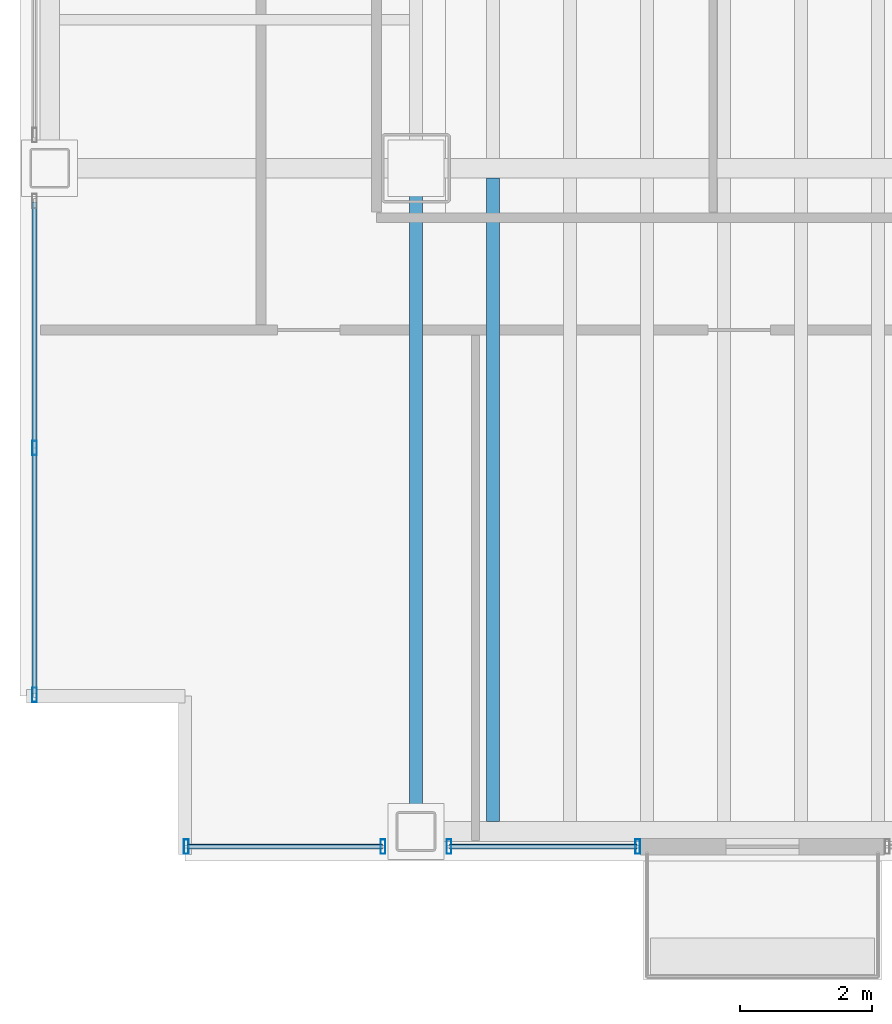
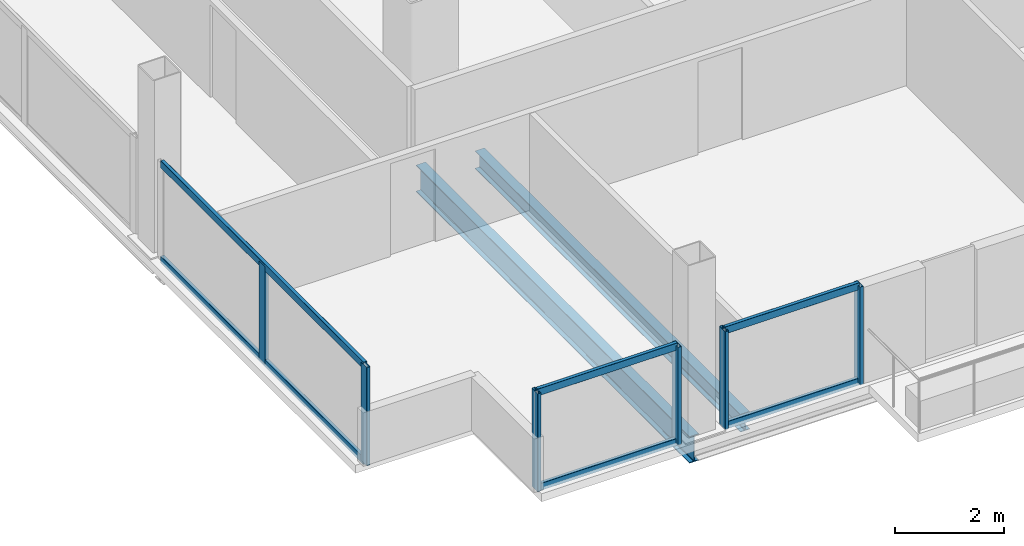
# One storey, part 2 of 21: 12 members, 2 beams, 3 elements without a shape of their own.
"""IFC4 building model written with IfcOpenShell, lengths in metres."""

from ifc_helpers import new_model, si_unit, direction, frame, origin, origin_2d, place, context, subcontext, project, spatial, hollow_rectangle, i_section, extrude, material, material_profile, profile_set, type_object, element, aggregate, save


model = new_model("IFC4")

# Units and contexts
model_context = context("Model", 3, precision=1e-05, world=origin(), true_north=direction((0.0, 1.0)))
body_context = subcontext(model_context, "Body", "Model", "MODEL_VIEW")
ifc_project = project(units=[si_unit("LENGTHUNIT", "METRE"), si_unit("AREAUNIT", "SQUARE_METRE"), si_unit("VOLUMEUNIT", "CUBIC_METRE"), si_unit("PLANEANGLEUNIT", "RADIAN"), si_unit("MASSUNIT", "GRAM", prefix="KILO")], contexts=[model_context])

# Site, building, storey
site_placement = place(None, origin())
site = spatial("IfcSite", under=ifc_project, at=site_placement, CompositionType="ELEMENT")
building_placement = place(site_placement, origin())
building = spatial("IfcBuilding", under=site, at=building_placement, Name="Noeulbin Bourse Tower", CompositionType="ELEMENT")
storey_placement = place(building_placement, frame((0.0, 0.0, 96.699951171875)))
storey = spatial("IfcBuildingStorey", under=building, at=storey_placement, Name="L24", CompositionType="ELEMENT", Elevation=96.699951171875)

# Beams
ifc_material_1 = material(Name="Steel S355", Category="steel")
ifc_material_profile_1 = material_profile(ifc_material_1, i_section(OverallWidth=0.199951171875, OverallDepth=0.60009765625, WebThickness=0.010986328125, FlangeThickness=0.01708984375, FilletRadius=0.02197265625, at=origin_2d()), Name="H-600x200x11x17", Category="LoadBearing")
ifc_profile_set_1 = profile_set([ifc_material_profile_1], Name="Steel S355")
beam_type_1 = type_object("IfcBeamType", Name="BM-GRD-600", PredefinedType="USERDEFINED", material=ifc_profile_set_1)
beam_1_placement = place(storey_placement, frame((13.5, 9.949951171875, -0.47998046875), z_axis=(0.0, 1.0, 0.0), x_axis=(-1.0, 0.0, 0.0)))
element("IfcBeam", 1, at=beam_1_placement, inside=storey, type_object=beam_type_1, Name="Tower Primary Girder NS L24-1.1", ObjectType="GIRDER", PredefinedType="USERDEFINED", context=body_context, shape_type="SweptSolid", body=[
    extrude(i_section(OverallWidth=0.199951171875, OverallDepth=0.60009765625, WebThickness=0.010986328125, FlangeThickness=0.01708984375, FilletRadius=0.02197265625, at=origin_2d()), origin(), (0.0, 0.0, 1.0), 10.050048828125),
])
ifc_material_profile_2 = material_profile(ifc_material_1, i_section(OverallWidth=0.199951171875, OverallDepth=0.39990234375, WebThickness=0.008056640625, FlangeThickness=0.012939453125, FilletRadius=0.01611328125, at=origin_2d()), Name="H-400x200x8x13", Category="LoadBearing")
ifc_profile_set_2 = profile_set([ifc_material_profile_2], Name="Steel S355")
beam_type_2 = type_object("IfcBeamType", Name="BM-SEC-400", PredefinedType="BEAM", material=ifc_profile_set_2)
beam_2_placement = place(storey_placement, frame((14.666748046875, 10.10009765625, -0.3798828125), z_axis=(0.0, 1.0, 0.0), x_axis=(-1.0, 0.0, 0.0)))
element("IfcBeam", 2, at=beam_2_placement, inside=storey, type_object=beam_type_2, Name="Tower Composite Joist L24-01", PredefinedType="BEAM", context=body_context, shape_type="SweptSolid", body=[
    extrude(i_section(OverallWidth=0.199951171875, OverallDepth=0.39990234375, WebThickness=0.008056640625, FlangeThickness=0.012939453125, FilletRadius=0.01611328125, at=origin_2d()), origin(), (0.0, 0.0, 1.0), 9.75),
])

# Curtain wall, members
ifc_material_2 = material(Name="Dark Solar-Control Double Glazing", Category="glass")
curtain_wall_type = type_object("IfcCurtainWallType", Name="CW-SYS-2", PredefinedType="NOTDEFINED", material=ifc_material_2)
curtain_wall_1_placement = place(storey_placement, origin())
curtain_wall_1 = element("IfcCurtainWall", 3, at=curtain_wall_1_placement, inside=storey, type_object=curtain_wall_type, Name="Unitised Curtain Wall CW-L24-S1-S1", PredefinedType="NOTDEFINED")
ifc_material_3 = material(Name="Anodised Aluminium 6063-T6", Category="aluminium")
ifc_material_profile_3 = material_profile(ifc_material_3, hollow_rectangle(XDim=0.074951171875, YDim=0.219970703125, WallThickness=0.0048828125, InnerFilletRadius=0.00244140625, OuterFilletRadius=0.0048828125, at=origin_2d()), Name="ALU-MULL-75x220x5", Category="LoadBearing")
ifc_profile_set_3 = profile_set([ifc_material_profile_3], Name="Anodised Aluminium 6063-T6")
member_type_1 = type_object("IfcMemberType", Name="CW-SYS-2-MUL", PredefinedType="MULLION", material=ifc_profile_set_3)
member_1_placement = place(storey_placement, frame((10.02001953125, 9.719970703125, -0.02001953125), z_axis=(0.0, 0.0, 1.0), x_axis=(1.0, 0.0, 0.0)))
member_1 = element("IfcMember", 4, at=member_1_placement, type_object=member_type_1, Name="Curtain Wall Mullion CW-L24-S1-S1-M00", PredefinedType="MULLION", context=body_context, shape_type="SweptSolid", body=[
    extrude(hollow_rectangle(XDim=0.074951171875, YDim=0.219970703125, WallThickness=0.0048828125, InnerFilletRadius=0.00244140625, OuterFilletRadius=0.0048828125, at=origin_2d()), origin(), (0.0, 0.0, 1.0), 2.199951171875),
])
member_2_placement = place(storey_placement, frame((13.0, 9.719970703125, -0.02001953125), z_axis=(0.0, 0.0, 1.0), x_axis=(1.0, 0.0, 0.0)))
member_2 = element("IfcMember", 5, at=member_2_placement, type_object=member_type_1, Name="Curtain Wall Mullion CW-L24-S1-S1-M01", PredefinedType="MULLION", context=body_context, shape_type="SweptSolid", body=[
    extrude(hollow_rectangle(XDim=0.074951171875, YDim=0.219970703125, WallThickness=0.0048828125, InnerFilletRadius=0.00244140625, OuterFilletRadius=0.0048828125, at=origin_2d()), origin(), (0.0, 0.0, 1.0), 2.199951171875),
])

curtain_wall_2_placement = place(storey_placement, origin())
curtain_wall_2 = element("IfcCurtainWall", 6, at=curtain_wall_2_placement, inside=storey, type_object=curtain_wall_type, Name="Unitised Curtain Wall CW-L24-S1-S2", PredefinedType="NOTDEFINED")
member_3_placement = place(storey_placement, frame((14.0, 9.719970703125, -0.02001953125), z_axis=(0.0, 0.0, 1.0), x_axis=(1.0, 0.0, 0.0)))
member_3 = element("IfcMember", 7, at=member_3_placement, type_object=member_type_1, Name="Curtain Wall Mullion CW-L24-S1-S2-M00", PredefinedType="MULLION", context=body_context, shape_type="SweptSolid", body=[
    extrude(hollow_rectangle(XDim=0.074951171875, YDim=0.219970703125, WallThickness=0.0048828125, InnerFilletRadius=0.00244140625, OuterFilletRadius=0.0048828125, at=origin_2d()), origin(), (0.0, 0.0, 1.0), 2.199951171875),
])
member_4_placement = place(storey_placement, frame((16.860107421875, 9.719970703125, -0.02001953125), z_axis=(0.0, 0.0, 1.0), x_axis=(1.0, 0.0, 0.0)))
member_4 = element("IfcMember", 8, at=member_4_placement, type_object=member_type_1, Name="Curtain Wall Mullion CW-L24-S1-S2-M01", PredefinedType="MULLION", context=body_context, shape_type="SweptSolid", body=[
    extrude(hollow_rectangle(XDim=0.074951171875, YDim=0.219970703125, WallThickness=0.0048828125, InnerFilletRadius=0.00244140625, OuterFilletRadius=0.0048828125, at=origin_2d()), origin(), (0.0, 0.0, 1.0), 2.199951171875),
])

curtain_wall_3_placement = place(storey_placement, origin())
curtain_wall_3 = element("IfcCurtainWall", 9, at=curtain_wall_3_placement, inside=storey, type_object=curtain_wall_type, Name="Unitised Curtain Wall CW-L24-W-S1", PredefinedType="NOTDEFINED")
member_5_placement = place(storey_placement, frame((7.719970703125, 12.02001953125, -0.02001953125), z_axis=(0.0, 0.0, 1.0), x_axis=(1.0, 0.0, 0.0)))
member_5 = element("IfcMember", 10, at=member_5_placement, type_object=member_type_1, Name="Curtain Wall Mullion CW-L24-W-S1-M00", PredefinedType="MULLION", context=body_context, shape_type="SweptSolid", body=[
    extrude(hollow_rectangle(XDim=0.074951171875, YDim=0.219970703125, WallThickness=0.0048828125, InnerFilletRadius=0.00244140625, OuterFilletRadius=0.0048828125, at=origin_2d()), origin(), (0.0, 0.0, 1.0), 2.199951171875),
])
member_6_placement = place(storey_placement, frame((7.719970703125, 15.760009765625, -0.02001953125), z_axis=(0.0, 0.0, 1.0), x_axis=(1.0, 0.0, 0.0)))
member_6 = element("IfcMember", 11, at=member_6_placement, type_object=member_type_1, Name="Curtain Wall Mullion CW-L24-W-S1-M01", PredefinedType="MULLION", context=body_context, shape_type="SweptSolid", body=[
    extrude(hollow_rectangle(XDim=0.074951171875, YDim=0.219970703125, WallThickness=0.0048828125, InnerFilletRadius=0.00244140625, OuterFilletRadius=0.0048828125, at=origin_2d()), origin(), (0.0, 0.0, 1.0), 2.199951171875),
])

# Member
ifc_material_profile_4 = material_profile(ifc_material_3, hollow_rectangle(XDim=0.074951171875, YDim=0.159912109375, WallThickness=0.0048828125, InnerFilletRadius=0.00244140625, OuterFilletRadius=0.0048828125, at=origin_2d()), Name="ALU-TRAN-75x160x5", Category="LoadBearing")
ifc_profile_set_4 = profile_set([ifc_material_profile_4], Name="Anodised Aluminium 6063-T6")
member_type_2 = type_object("IfcMemberType", Name="CW-SYS-2-TRN", PredefinedType="USERDEFINED", material=ifc_profile_set_4)
member_7_placement = place(storey_placement, frame((10.030029296875, 9.719970703125, 0.010009765625), z_axis=(1.0, 0.0, 0.0), x_axis=(0.0, 1.0, 0.0)))
member_7 = element("IfcMember", 12, at=member_7_placement, type_object=member_type_2, Name="Curtain Wall Transom CW-L24-S1-S1-T00", ObjectType="TRANSOM", PredefinedType="USERDEFINED", context=body_context, shape_type="SweptSolid", body=[
    extrude(hollow_rectangle(XDim=0.074951171875, YDim=0.159912109375, WallThickness=0.0048828125, InnerFilletRadius=0.00244140625, OuterFilletRadius=0.0048828125, at=origin_2d()), origin(), (0.0, 0.0, 1.0), 2.9599609375),
])

member_8_placement = place(storey_placement, frame((10.030029296875, 9.719970703125, 2.150146484375), z_axis=(1.0, 0.0, 0.0), x_axis=(0.0, 1.0, 0.0)))
member_8 = element("IfcMember", 13, at=member_8_placement, type_object=member_type_2, Name="Curtain Wall Transom CW-L24-S1-S1-T01", ObjectType="TRANSOM", PredefinedType="USERDEFINED", context=body_context, shape_type="SweptSolid", body=[
    extrude(hollow_rectangle(XDim=0.074951171875, YDim=0.159912109375, WallThickness=0.0048828125, InnerFilletRadius=0.00244140625, OuterFilletRadius=0.0048828125, at=origin_2d()), origin(), (0.0, 0.0, 1.0), 2.9599609375),
])

aggregate(curtain_wall_1, [member_1, member_2, member_7, member_8])

member_9_placement = place(storey_placement, frame((14.010009765625, 9.719970703125, 0.010009765625), z_axis=(1.0, 0.0, 0.0), x_axis=(0.0, 1.0, 0.0)))
member_9 = element("IfcMember", 14, at=member_9_placement, type_object=member_type_2, Name="Curtain Wall Transom CW-L24-S1-S2-T00", ObjectType="TRANSOM", PredefinedType="USERDEFINED", context=body_context, shape_type="SweptSolid", body=[
    extrude(hollow_rectangle(XDim=0.074951171875, YDim=0.159912109375, WallThickness=0.0048828125, InnerFilletRadius=0.00244140625, OuterFilletRadius=0.0048828125, at=origin_2d()), origin(), (0.0, 0.0, 1.0), 2.840087890625),
])

member_10_placement = place(storey_placement, frame((14.010009765625, 9.719970703125, 2.150146484375), z_axis=(1.0, 0.0, 0.0), x_axis=(0.0, 1.0, 0.0)))
member_10 = element("IfcMember", 15, at=member_10_placement, type_object=member_type_2, Name="Curtain Wall Transom CW-L24-S1-S2-T01", ObjectType="TRANSOM", PredefinedType="USERDEFINED", context=body_context, shape_type="SweptSolid", body=[
    extrude(hollow_rectangle(XDim=0.074951171875, YDim=0.159912109375, WallThickness=0.0048828125, InnerFilletRadius=0.00244140625, OuterFilletRadius=0.0048828125, at=origin_2d()), origin(), (0.0, 0.0, 1.0), 2.840087890625),
])

aggregate(curtain_wall_2, [member_3, member_4, member_9, member_10])

member_11_placement = place(storey_placement, frame((7.719970703125, 12.030029296875, 0.010009765625), z_axis=(0.0, 1.0, 0.0), x_axis=(-1.0, 0.0, 0.0)))
member_11 = element("IfcMember", 16, at=member_11_placement, type_object=member_type_2, Name="Curtain Wall Transom CW-L24-W-S1-T00", ObjectType="TRANSOM", PredefinedType="USERDEFINED", context=body_context, shape_type="SweptSolid", body=[
    extrude(hollow_rectangle(XDim=0.074951171875, YDim=0.159912109375, WallThickness=0.0048828125, InnerFilletRadius=0.00244140625, OuterFilletRadius=0.0048828125, at=origin_2d()), origin(), (0.0, 0.0, 1.0), 7.4599609375),
])

member_12_placement = place(storey_placement, frame((7.719970703125, 12.030029296875, 2.150146484375), z_axis=(0.0, 1.0, 0.0), x_axis=(-1.0, 0.0, 0.0)))
member_12 = element("IfcMember", 17, at=member_12_placement, type_object=member_type_2, Name="Curtain Wall Transom CW-L24-W-S1-T01", ObjectType="TRANSOM", PredefinedType="USERDEFINED", context=body_context, shape_type="SweptSolid", body=[
    extrude(hollow_rectangle(XDim=0.074951171875, YDim=0.159912109375, WallThickness=0.0048828125, InnerFilletRadius=0.00244140625, OuterFilletRadius=0.0048828125, at=origin_2d()), origin(), (0.0, 0.0, 1.0), 7.4599609375),
])

aggregate(curtain_wall_3, [member_5, member_6, member_11, member_12])

save(model, "model.ifc")
